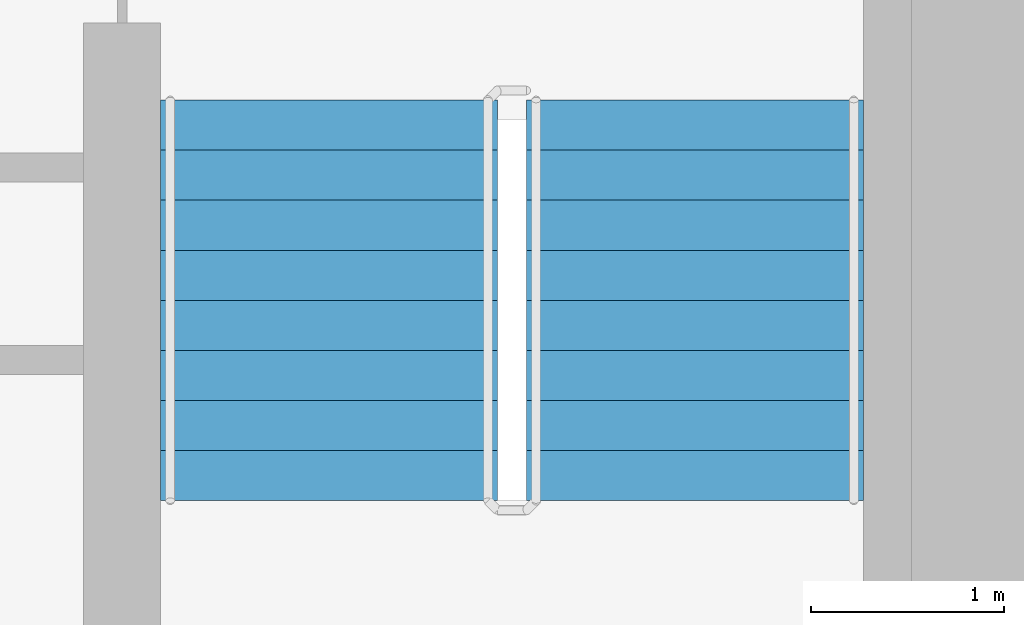
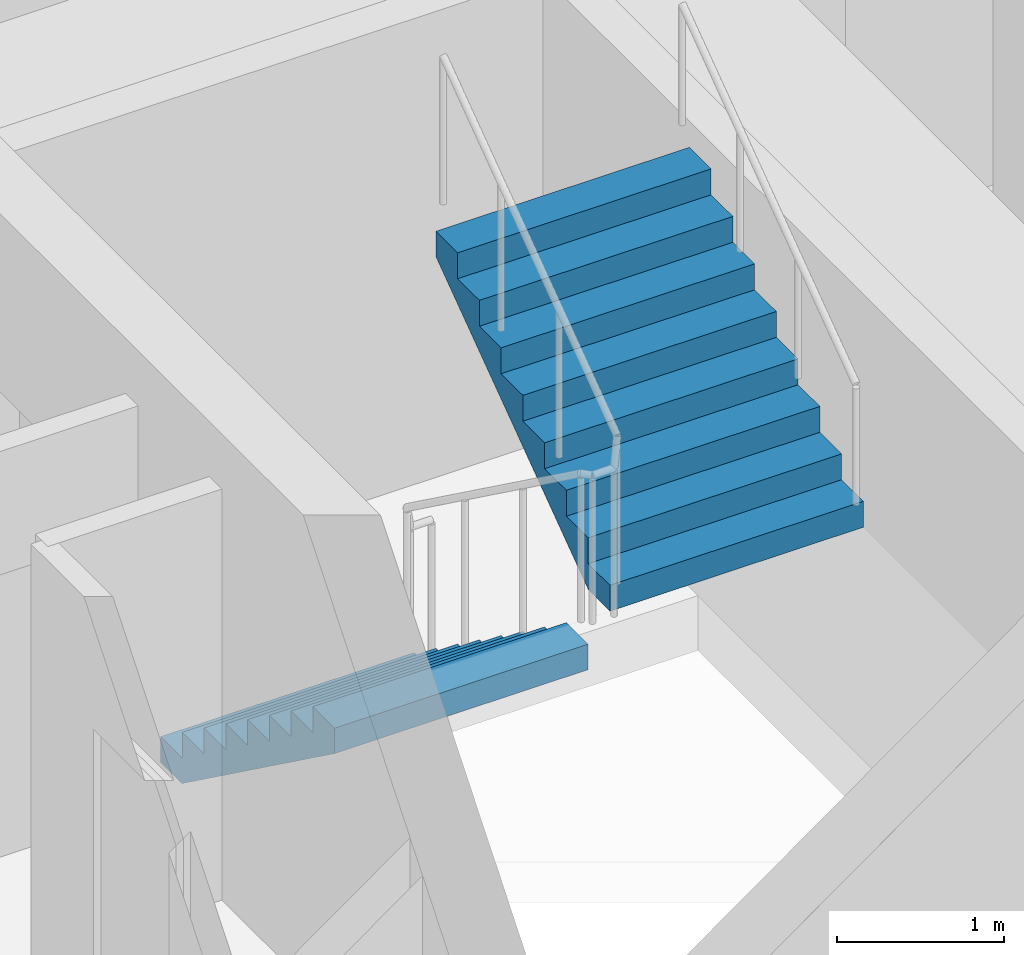
# One storey, part 19 of 22: 2 stair flights, 1 element without a shape of its own.
"""IFC4 building model written with IfcOpenShell, lengths in metres."""

from ifc_helpers import new_model, si_unit, direction, frame, origin, place, context, subcontext, project, spatial, faceted_brep, material, type_object, element, aggregate, save


model = new_model("IFC4")

# Units and contexts
model_context = context("Model", 3, precision=1e-05, world=origin(), true_north=direction((0.0, 1.0)))
body_context = subcontext(model_context, "Body", "Model", "MODEL_VIEW")
ifc_project = project(units=[si_unit("LENGTHUNIT", "METRE"), si_unit("AREAUNIT", "SQUARE_METRE"), si_unit("VOLUMEUNIT", "CUBIC_METRE"), si_unit("PLANEANGLEUNIT", "RADIAN"), si_unit("MASSUNIT", "GRAM", prefix="KILO")], contexts=[model_context])

# Site, building, storey
site_placement = place(None, origin())
site = spatial("IfcSite", under=ifc_project, at=site_placement, CompositionType="ELEMENT")
building_placement = place(site_placement, origin())
building = spatial("IfcBuilding", under=site, at=building_placement, Name="Ipe Terrace Towers", CompositionType="ELEMENT")
storey_placement = place(building_placement, frame((0.0, 0.0, 90.199951171875)))
storey = spatial("IfcBuildingStorey", under=building, at=storey_placement, Name="L24", CompositionType="ELEMENT", Elevation=90.199951171875)

# Stair, stair flights
ifc_material_1 = material(Name="Concrete C30/37", Category="concrete")
stair_type = type_object("IfcStairType", Name="Protected exit stair", PredefinedType="HALF_TURN_STAIR", material=ifc_material_1)
stair_placement = place(storey_placement, origin())
stair = element("IfcStair", 1, at=stair_placement, inside=storey, type_object=stair_type, Name="L24 Exit stair T2-C2", PredefinedType="HALF_TURN_STAIR")
ifc_material_2 = material(Name="Concrete C30/37", Category="concrete")
stair_flight_type = type_object("IfcStairFlightType", Name="Exit stair flight 1750", PredefinedType="STRAIGHT", material=ifc_material_2)
stair_flight_1_placement = place(storey_placement, frame((38.77490234375, -9.699951171875, 0.0), z_axis=(0.0, 0.0, 1.0), x_axis=(0.0, -1.0, 0.0)))
stair_flight_1 = element("IfcStairFlight", 2, at=stair_flight_1_placement, type_object=stair_flight_type, Name="T2-ST2 flight 1", NumberOfRisers=9, NumberOfTreads=8, PredefinedType="STRAIGHT", RiserHeight=0.188888889, TreadLength=0.26, context=body_context, shape_type="Brep", body=[
    faceted_brep([(0.255126953125, -0.875, 0.0), (2.080078125, -0.875, 1.325927734375), (2.080078125, -0.875, 1.51123046875), (1.820068359375, -0.875, 1.51123046875), (1.820068359375, -0.875, 1.322265625), (1.56005859375, -0.875, 1.322265625), (1.56005859375, -0.875, 1.13330078125), (1.300048828125, -0.875, 1.13330078125), (1.300048828125, -0.875, 0.9443359375), (1.0400390625, -0.875, 0.9443359375), (1.0400390625, -0.875, 0.755615234375), (0.780029296875, -0.875, 0.755615234375), (0.780029296875, -0.875, 0.566650390625), (0.52001953125, -0.875, 0.566650390625), (0.52001953125, -0.875, 0.377685546875), (0.260009765625, -0.875, 0.377685546875), (0.260009765625, -0.875, 0.18896484375), (0.0, -0.875, 0.18896484375), (0.0, -0.875, 0.0), (0.0, 0.875, 0.0), (0.0, 0.875, 0.18896484375), (0.260009765625, 0.875, 0.18896484375), (0.260009765625, 0.875, 0.377685546875), (0.52001953125, 0.875, 0.377685546875), (0.52001953125, 0.875, 0.566650390625), (0.780029296875, 0.875, 0.566650390625), (0.780029296875, 0.875, 0.755615234375), (1.0400390625, 0.875, 0.755615234375), (1.0400390625, 0.875, 0.9443359375), (1.300048828125, 0.875, 0.9443359375), (1.300048828125, 0.875, 1.13330078125), (1.56005859375, 0.875, 1.13330078125), (1.56005859375, 0.875, 1.322265625), (1.820068359375, 0.875, 1.322265625), (1.820068359375, 0.875, 1.51123046875), (2.080078125, 0.875, 1.51123046875), (2.080078125, 0.875, 1.325927734375), (0.255126953125, 0.875, 0.0), (0.0, -0.300048828125, 0.18896484375), (0.0, -0.1201171875, 0.18896484375), (0.0, -0.06005859375, 0.18896484375), (0.0, -0.030029296875, 0.18896484375), (0.0, -0.010009765625, 0.18896484375), (0.0, 0.0, 0.18896484375), (0.0, 0.010009765625, 0.18896484375), (0.0, 0.030029296875, 0.18896484375), (0.0, 0.06005859375, 0.18896484375), (0.0, 0.1201171875, 0.18896484375), (0.0, 0.300048828125, 0.18896484375), (0.0, 0.300048828125, 0.0), (0.0, 0.1201171875, 0.0), (0.0, 0.06005859375, 0.0), (0.0, 0.030029296875, 0.0), (0.0, 0.010009765625, 0.0), (0.0, 0.0, 0.0), (0.0, -0.010009765625, 0.0), (0.0, -0.030029296875, 0.0), (0.0, -0.06005859375, 0.0), (0.0, -0.1201171875, 0.0), (0.0, -0.300048828125, 0.0), (0.260009765625, -0.300048828125, 0.18896484375), (0.260009765625, -0.1201171875, 0.18896484375), (0.260009765625, -0.06005859375, 0.18896484375), (0.260009765625, -0.030029296875, 0.18896484375), (0.260009765625, -0.010009765625, 0.18896484375), (0.260009765625, 0.0, 0.18896484375), (0.260009765625, 0.010009765625, 0.18896484375), (0.260009765625, 0.030029296875, 0.18896484375), (0.260009765625, 0.06005859375, 0.18896484375), (0.260009765625, 0.1201171875, 0.18896484375), (0.260009765625, 0.300048828125, 0.18896484375), (0.260009765625, -0.300048828125, 0.377685546875), (0.260009765625, -0.1201171875, 0.377685546875), (0.260009765625, -0.06005859375, 0.377685546875), (0.260009765625, -0.030029296875, 0.377685546875), (0.260009765625, -0.010009765625, 0.377685546875), (0.260009765625, 0.0, 0.377685546875), (0.260009765625, 0.010009765625, 0.377685546875), (0.260009765625, 0.030029296875, 0.377685546875), (0.260009765625, 0.06005859375, 0.377685546875), (0.260009765625, 0.1201171875, 0.377685546875), (0.260009765625, 0.300048828125, 0.377685546875), (0.52001953125, -0.300048828125, 0.377685546875), (0.52001953125, -0.1201171875, 0.377685546875), (0.52001953125, -0.06005859375, 0.377685546875), (0.52001953125, -0.030029296875, 0.377685546875), (0.52001953125, -0.010009765625, 0.377685546875), (0.52001953125, 0.0, 0.377685546875), (0.52001953125, 0.010009765625, 0.377685546875), (0.52001953125, 0.030029296875, 0.377685546875), (0.52001953125, 0.06005859375, 0.377685546875), (0.52001953125, 0.1201171875, 0.377685546875), (0.52001953125, 0.300048828125, 0.377685546875), (0.52001953125, -0.300048828125, 0.566650390625), (0.52001953125, -0.1201171875, 0.566650390625), (0.52001953125, -0.06005859375, 0.566650390625), (0.52001953125, -0.030029296875, 0.566650390625), (0.52001953125, -0.010009765625, 0.566650390625), (0.52001953125, 0.0, 0.566650390625), (0.52001953125, 0.010009765625, 0.566650390625), (0.52001953125, 0.030029296875, 0.566650390625), (0.52001953125, 0.06005859375, 0.566650390625), (0.52001953125, 0.1201171875, 0.566650390625), (0.52001953125, 0.300048828125, 0.566650390625), (0.780029296875, -0.300048828125, 0.566650390625), (0.780029296875, -0.1201171875, 0.566650390625), (0.780029296875, -0.06005859375, 0.566650390625), (0.780029296875, -0.030029296875, 0.566650390625), (0.780029296875, -0.010009765625, 0.566650390625), (0.780029296875, 0.0, 0.566650390625), (0.780029296875, 0.010009765625, 0.566650390625), (0.780029296875, 0.030029296875, 0.566650390625), (0.780029296875, 0.06005859375, 0.566650390625), (0.780029296875, 0.1201171875, 0.566650390625), (0.780029296875, 0.300048828125, 0.566650390625), (0.780029296875, -0.300048828125, 0.755615234375), (0.780029296875, -0.1201171875, 0.755615234375), (0.780029296875, -0.06005859375, 0.755615234375), (0.780029296875, -0.030029296875, 0.755615234375), (0.780029296875, -0.010009765625, 0.755615234375), (0.780029296875, 0.0, 0.755615234375), (0.780029296875, 0.010009765625, 0.755615234375), (0.780029296875, 0.030029296875, 0.755615234375), (0.780029296875, 0.06005859375, 0.755615234375), (0.780029296875, 0.1201171875, 0.755615234375), (0.780029296875, 0.300048828125, 0.755615234375), (1.0400390625, -0.300048828125, 0.755615234375), (1.0400390625, -0.1201171875, 0.755615234375), (1.0400390625, -0.06005859375, 0.755615234375), (1.0400390625, -0.030029296875, 0.755615234375), (1.0400390625, -0.010009765625, 0.755615234375), (1.0400390625, 0.0, 0.755615234375), (1.0400390625, 0.010009765625, 0.755615234375), (1.0400390625, 0.030029296875, 0.755615234375), (1.0400390625, 0.06005859375, 0.755615234375), (1.0400390625, 0.1201171875, 0.755615234375), (1.0400390625, 0.300048828125, 0.755615234375), (1.0400390625, -0.300048828125, 0.9443359375), (1.0400390625, -0.1201171875, 0.9443359375), (1.0400390625, -0.06005859375, 0.9443359375), (1.0400390625, -0.030029296875, 0.9443359375), (1.0400390625, -0.010009765625, 0.9443359375), (1.0400390625, 0.0, 0.9443359375), (1.0400390625, 0.010009765625, 0.9443359375), (1.0400390625, 0.030029296875, 0.9443359375), (1.0400390625, 0.06005859375, 0.9443359375), (1.0400390625, 0.1201171875, 0.9443359375), (1.0400390625, 0.300048828125, 0.9443359375), (1.300048828125, -0.300048828125, 0.9443359375), (1.300048828125, -0.1201171875, 0.9443359375), (1.300048828125, -0.06005859375, 0.9443359375), (1.300048828125, -0.030029296875, 0.9443359375), (1.300048828125, -0.010009765625, 0.9443359375), (1.300048828125, 0.0, 0.9443359375), (1.300048828125, 0.010009765625, 0.9443359375), (1.300048828125, 0.030029296875, 0.9443359375), (1.300048828125, 0.06005859375, 0.9443359375), (1.300048828125, 0.1201171875, 0.9443359375), (1.300048828125, 0.300048828125, 0.9443359375), (1.300048828125, -0.300048828125, 1.13330078125), (1.300048828125, -0.1201171875, 1.13330078125), (1.300048828125, -0.06005859375, 1.13330078125), (1.300048828125, -0.030029296875, 1.13330078125), (1.300048828125, -0.010009765625, 1.13330078125), (1.300048828125, 0.0, 1.13330078125), (1.300048828125, 0.010009765625, 1.13330078125), (1.300048828125, 0.030029296875, 1.13330078125), (1.300048828125, 0.06005859375, 1.13330078125), (1.300048828125, 0.1201171875, 1.13330078125), (1.300048828125, 0.300048828125, 1.13330078125), (1.56005859375, -0.300048828125, 1.13330078125), (1.56005859375, -0.1201171875, 1.13330078125), (1.56005859375, -0.06005859375, 1.13330078125), (1.56005859375, -0.030029296875, 1.13330078125), (1.56005859375, -0.010009765625, 1.13330078125), (1.56005859375, 0.0, 1.13330078125), (1.56005859375, 0.010009765625, 1.13330078125), (1.56005859375, 0.030029296875, 1.13330078125), (1.56005859375, 0.06005859375, 1.13330078125), (1.56005859375, 0.1201171875, 1.13330078125), (1.56005859375, 0.300048828125, 1.13330078125), (1.56005859375, -0.300048828125, 1.322265625), (1.56005859375, -0.1201171875, 1.322265625), (1.56005859375, -0.06005859375, 1.322265625), (1.56005859375, -0.030029296875, 1.322265625), (1.56005859375, -0.010009765625, 1.322265625), (1.56005859375, 0.0, 1.322265625), (1.56005859375, 0.010009765625, 1.322265625), (1.56005859375, 0.030029296875, 1.322265625), (1.56005859375, 0.06005859375, 1.322265625), (1.56005859375, 0.1201171875, 1.322265625), (1.56005859375, 0.300048828125, 1.322265625), (1.820068359375, -0.300048828125, 1.322265625), (1.820068359375, -0.1201171875, 1.322265625), (1.820068359375, -0.06005859375, 1.322265625), (1.820068359375, -0.030029296875, 1.322265625), (1.820068359375, -0.010009765625, 1.322265625), (1.820068359375, 0.0, 1.322265625), (1.820068359375, 0.010009765625, 1.322265625), (1.820068359375, 0.030029296875, 1.322265625), (1.820068359375, 0.06005859375, 1.322265625), (1.820068359375, 0.1201171875, 1.322265625), (1.820068359375, 0.300048828125, 1.322265625), (1.820068359375, -0.300048828125, 1.51123046875), (1.820068359375, -0.1201171875, 1.51123046875), (1.820068359375, -0.06005859375, 1.51123046875), (1.820068359375, -0.030029296875, 1.51123046875), (1.820068359375, -0.010009765625, 1.51123046875), (1.820068359375, 0.0, 1.51123046875), (1.820068359375, 0.010009765625, 1.51123046875), (1.820068359375, 0.030029296875, 1.51123046875), (1.820068359375, 0.06005859375, 1.51123046875), (1.820068359375, 0.1201171875, 1.51123046875), (1.820068359375, 0.300048828125, 1.51123046875), (2.080078125, -0.300048828125, 1.51123046875), (2.080078125, -0.1201171875, 1.51123046875), (2.080078125, -0.06005859375, 1.51123046875), (2.080078125, -0.030029296875, 1.51123046875), (2.080078125, -0.010009765625, 1.51123046875), (2.080078125, 0.0, 1.51123046875), (2.080078125, 0.010009765625, 1.51123046875), (2.080078125, 0.030029296875, 1.51123046875), (2.080078125, 0.06005859375, 1.51123046875), (2.080078125, 0.1201171875, 1.51123046875), (2.080078125, 0.300048828125, 1.51123046875), (2.080078125, -0.300048828125, 1.325927734375), (2.080078125, -0.1201171875, 1.325927734375), (2.080078125, -0.06005859375, 1.325927734375), (2.080078125, -0.030029296875, 1.325927734375), (2.080078125, -0.010009765625, 1.325927734375), (2.080078125, 0.0, 1.325927734375), (2.080078125, 0.010009765625, 1.325927734375), (2.080078125, 0.030029296875, 1.325927734375), (2.080078125, 0.06005859375, 1.325927734375), (2.080078125, 0.1201171875, 1.325927734375), (2.080078125, 0.300048828125, 1.325927734375), (0.255126953125, -0.300048828125, 0.0), (0.255126953125, -0.1201171875, 0.0), (0.255126953125, -0.06005859375, 0.0), (0.255126953125, -0.030029296875, 0.0), (0.255126953125, -0.010009765625, 0.0), (0.255126953125, 0.0, 0.0), (0.255126953125, 0.010009765625, 0.0), (0.255126953125, 0.030029296875, 0.0), (0.255126953125, 0.06005859375, 0.0), (0.255126953125, 0.1201171875, 0.0), (0.255126953125, 0.300048828125, 0.0)], [[[0, 1, 2, 3, 4, 5, 6, 7, 8, 9, 10, 11, 12, 13, 14, 15, 16, 17, 18]], [[19, 20, 21, 22, 23, 24, 25, 26, 27, 28, 29, 30, 31, 32, 33, 34, 35, 36, 37]], [[17, 38, 39, 40, 41, 42, 43, 44, 45, 46, 47, 48, 20, 19, 49, 50, 51, 52, 53, 54, 55, 56, 57, 58, 59, 18]], [[16, 60, 61, 62, 63, 64, 65, 66, 67, 68, 69, 70, 21, 20, 48, 47, 46, 45, 44, 43, 42, 41, 40, 39, 38, 17]], [[15, 71, 72, 73, 74, 75, 76, 77, 78, 79, 80, 81, 22, 21, 70, 69, 68, 67, 66, 65, 64, 63, 62, 61, 60, 16]], [[14, 82, 83, 84, 85, 86, 87, 88, 89, 90, 91, 92, 23, 22, 81, 80, 79, 78, 77, 76, 75, 74, 73, 72, 71, 15]], [[13, 93, 94, 95, 96, 97, 98, 99, 100, 101, 102, 103, 24, 23, 92, 91, 90, 89, 88, 87, 86, 85, 84, 83, 82, 14]], [[12, 104, 105, 106, 107, 108, 109, 110, 111, 112, 113, 114, 25, 24, 103, 102, 101, 100, 99, 98, 97, 96, 95, 94, 93, 13]], [[11, 115, 116, 117, 118, 119, 120, 121, 122, 123, 124, 125, 26, 25, 114, 113, 112, 111, 110, 109, 108, 107, 106, 105, 104, 12]], [[10, 126, 127, 128, 129, 130, 131, 132, 133, 134, 135, 136, 27, 26, 125, 124, 123, 122, 121, 120, 119, 118, 117, 116, 115, 11]], [[9, 137, 138, 139, 140, 141, 142, 143, 144, 145, 146, 147, 28, 27, 136, 135, 134, 133, 132, 131, 130, 129, 128, 127, 126, 10]], [[8, 148, 149, 150, 151, 152, 153, 154, 155, 156, 157, 158, 29, 28, 147, 146, 145, 144, 143, 142, 141, 140, 139, 138, 137, 9]], [[7, 159, 160, 161, 162, 163, 164, 165, 166, 167, 168, 169, 30, 29, 158, 157, 156, 155, 154, 153, 152, 151, 150, 149, 148, 8]], [[6, 170, 171, 172, 173, 174, 175, 176, 177, 178, 179, 180, 31, 30, 169, 168, 167, 166, 165, 164, 163, 162, 161, 160, 159, 7]], [[5, 181, 182, 183, 184, 185, 186, 187, 188, 189, 190, 191, 32, 31, 180, 179, 178, 177, 176, 175, 174, 173, 172, 171, 170, 6]], [[4, 192, 193, 194, 195, 196, 197, 198, 199, 200, 201, 202, 33, 32, 191, 190, 189, 188, 187, 186, 185, 184, 183, 182, 181, 5]], [[3, 203, 204, 205, 206, 207, 208, 209, 210, 211, 212, 213, 34, 33, 202, 201, 200, 199, 198, 197, 196, 195, 194, 193, 192, 4]], [[2, 214, 215, 216, 217, 218, 219, 220, 221, 222, 223, 224, 35, 34, 213, 212, 211, 210, 209, 208, 207, 206, 205, 204, 203, 3]], [[1, 225, 226, 227, 228, 229, 230, 231, 232, 233, 234, 235, 36, 35, 224, 223, 222, 221, 220, 219, 218, 217, 216, 215, 214, 2]], [[0, 236, 237, 238, 239, 240, 241, 242, 243, 244, 245, 246, 37, 36, 235, 234, 233, 232, 231, 230, 229, 228, 227, 226, 225, 1]], [[18, 59, 58, 57, 56, 55, 54, 53, 52, 51, 50, 49, 19, 37, 246, 245, 244, 243, 242, 241, 240, 239, 238, 237, 236, 0]]]),
])
stair_flight_2_placement = place(storey_placement, frame((40.675048828125, -11.780029296875, 1.699951171875), z_axis=(0.0, 0.0, 1.0), x_axis=(0.0, 1.0, 0.0)))
stair_flight_2 = element("IfcStairFlight", 3, at=stair_flight_2_placement, type_object=stair_flight_type, Name="T2-ST2 flight 2", NumberOfRisers=9, NumberOfTreads=8, PredefinedType="STRAIGHT", RiserHeight=0.188888889, TreadLength=0.26, context=body_context, shape_type="Brep", body=[
    faceted_brep([(0.255126953125, -0.875, 0.0), (2.080078125, -0.875, 1.325927734375), (2.080078125, -0.875, 1.51123046875), (1.820068359375, -0.875, 1.51123046875), (1.820068359375, -0.875, 1.322265625), (1.56005859375, -0.875, 1.322265625), (1.56005859375, -0.875, 1.13330078125), (1.300048828125, -0.875, 1.13330078125), (1.300048828125, -0.875, 0.9443359375), (1.0400390625, -0.875, 0.9443359375), (1.0400390625, -0.875, 0.755615234375), (0.780029296875, -0.875, 0.755615234375), (0.780029296875, -0.875, 0.566650390625), (0.52001953125, -0.875, 0.566650390625), (0.52001953125, -0.875, 0.377685546875), (0.260009765625, -0.875, 0.377685546875), (0.260009765625, -0.875, 0.18896484375), (0.0, -0.875, 0.18896484375), (0.0, -0.875, 0.0), (0.0, 0.875, 0.0), (0.0, 0.875, 0.18896484375), (0.260009765625, 0.875, 0.18896484375), (0.260009765625, 0.875, 0.377685546875), (0.52001953125, 0.875, 0.377685546875), (0.52001953125, 0.875, 0.566650390625), (0.780029296875, 0.875, 0.566650390625), (0.780029296875, 0.875, 0.755615234375), (1.0400390625, 0.875, 0.755615234375), (1.0400390625, 0.875, 0.9443359375), (1.300048828125, 0.875, 0.9443359375), (1.300048828125, 0.875, 1.13330078125), (1.56005859375, 0.875, 1.13330078125), (1.56005859375, 0.875, 1.322265625), (1.820068359375, 0.875, 1.322265625), (1.820068359375, 0.875, 1.51123046875), (2.080078125, 0.875, 1.51123046875), (2.080078125, 0.875, 1.325927734375), (0.255126953125, 0.875, 0.0), (0.0, -0.300048828125, 0.18896484375), (0.0, -0.1201171875, 0.18896484375), (0.0, -0.06005859375, 0.18896484375), (0.0, -0.030029296875, 0.18896484375), (0.0, -0.010009765625, 0.18896484375), (0.0, 0.0, 0.18896484375), (0.0, 0.010009765625, 0.18896484375), (0.0, 0.030029296875, 0.18896484375), (0.0, 0.06005859375, 0.18896484375), (0.0, 0.1201171875, 0.18896484375), (0.0, 0.300048828125, 0.18896484375), (0.0, 0.300048828125, 0.0), (0.0, 0.1201171875, 0.0), (0.0, 0.06005859375, 0.0), (0.0, 0.030029296875, 0.0), (0.0, 0.010009765625, 0.0), (0.0, 0.0, 0.0), (0.0, -0.010009765625, 0.0), (0.0, -0.030029296875, 0.0), (0.0, -0.06005859375, 0.0), (0.0, -0.1201171875, 0.0), (0.0, -0.300048828125, 0.0), (0.260009765625, -0.300048828125, 0.18896484375), (0.260009765625, -0.1201171875, 0.18896484375), (0.260009765625, -0.06005859375, 0.18896484375), (0.260009765625, -0.030029296875, 0.18896484375), (0.260009765625, -0.010009765625, 0.18896484375), (0.260009765625, 0.0, 0.18896484375), (0.260009765625, 0.010009765625, 0.18896484375), (0.260009765625, 0.030029296875, 0.18896484375), (0.260009765625, 0.06005859375, 0.18896484375), (0.260009765625, 0.1201171875, 0.18896484375), (0.260009765625, 0.300048828125, 0.18896484375), (0.260009765625, -0.300048828125, 0.377685546875), (0.260009765625, -0.1201171875, 0.377685546875), (0.260009765625, -0.06005859375, 0.377685546875), (0.260009765625, -0.030029296875, 0.377685546875), (0.260009765625, -0.010009765625, 0.377685546875), (0.260009765625, 0.0, 0.377685546875), (0.260009765625, 0.010009765625, 0.377685546875), (0.260009765625, 0.030029296875, 0.377685546875), (0.260009765625, 0.06005859375, 0.377685546875), (0.260009765625, 0.1201171875, 0.377685546875), (0.260009765625, 0.300048828125, 0.377685546875), (0.52001953125, -0.300048828125, 0.377685546875), (0.52001953125, -0.1201171875, 0.377685546875), (0.52001953125, -0.06005859375, 0.377685546875), (0.52001953125, -0.030029296875, 0.377685546875), (0.52001953125, -0.010009765625, 0.377685546875), (0.52001953125, 0.0, 0.377685546875), (0.52001953125, 0.010009765625, 0.377685546875), (0.52001953125, 0.030029296875, 0.377685546875), (0.52001953125, 0.06005859375, 0.377685546875), (0.52001953125, 0.1201171875, 0.377685546875), (0.52001953125, 0.300048828125, 0.377685546875), (0.52001953125, -0.300048828125, 0.566650390625), (0.52001953125, -0.1201171875, 0.566650390625), (0.52001953125, -0.06005859375, 0.566650390625), (0.52001953125, -0.030029296875, 0.566650390625), (0.52001953125, -0.010009765625, 0.566650390625), (0.52001953125, 0.0, 0.566650390625), (0.52001953125, 0.010009765625, 0.566650390625), (0.52001953125, 0.030029296875, 0.566650390625), (0.52001953125, 0.06005859375, 0.566650390625), (0.52001953125, 0.1201171875, 0.566650390625), (0.52001953125, 0.300048828125, 0.566650390625), (0.780029296875, -0.300048828125, 0.566650390625), (0.780029296875, -0.1201171875, 0.566650390625), (0.780029296875, -0.06005859375, 0.566650390625), (0.780029296875, -0.030029296875, 0.566650390625), (0.780029296875, -0.010009765625, 0.566650390625), (0.780029296875, 0.0, 0.566650390625), (0.780029296875, 0.010009765625, 0.566650390625), (0.780029296875, 0.030029296875, 0.566650390625), (0.780029296875, 0.06005859375, 0.566650390625), (0.780029296875, 0.1201171875, 0.566650390625), (0.780029296875, 0.300048828125, 0.566650390625), (0.780029296875, -0.300048828125, 0.755615234375), (0.780029296875, -0.1201171875, 0.755615234375), (0.780029296875, -0.06005859375, 0.755615234375), (0.780029296875, -0.030029296875, 0.755615234375), (0.780029296875, -0.010009765625, 0.755615234375), (0.780029296875, 0.0, 0.755615234375), (0.780029296875, 0.010009765625, 0.755615234375), (0.780029296875, 0.030029296875, 0.755615234375), (0.780029296875, 0.06005859375, 0.755615234375), (0.780029296875, 0.1201171875, 0.755615234375), (0.780029296875, 0.300048828125, 0.755615234375), (1.0400390625, -0.300048828125, 0.755615234375), (1.0400390625, -0.1201171875, 0.755615234375), (1.0400390625, -0.06005859375, 0.755615234375), (1.0400390625, -0.030029296875, 0.755615234375), (1.0400390625, -0.010009765625, 0.755615234375), (1.0400390625, 0.0, 0.755615234375), (1.0400390625, 0.010009765625, 0.755615234375), (1.0400390625, 0.030029296875, 0.755615234375), (1.0400390625, 0.06005859375, 0.755615234375), (1.0400390625, 0.1201171875, 0.755615234375), (1.0400390625, 0.300048828125, 0.755615234375), (1.0400390625, -0.300048828125, 0.9443359375), (1.0400390625, -0.1201171875, 0.9443359375), (1.0400390625, -0.06005859375, 0.9443359375), (1.0400390625, -0.030029296875, 0.9443359375), (1.0400390625, -0.010009765625, 0.9443359375), (1.0400390625, 0.0, 0.9443359375), (1.0400390625, 0.010009765625, 0.9443359375), (1.0400390625, 0.030029296875, 0.9443359375), (1.0400390625, 0.06005859375, 0.9443359375), (1.0400390625, 0.1201171875, 0.9443359375), (1.0400390625, 0.300048828125, 0.9443359375), (1.300048828125, -0.300048828125, 0.9443359375), (1.300048828125, -0.1201171875, 0.9443359375), (1.300048828125, -0.06005859375, 0.9443359375), (1.300048828125, -0.030029296875, 0.9443359375), (1.300048828125, -0.010009765625, 0.9443359375), (1.300048828125, 0.0, 0.9443359375), (1.300048828125, 0.010009765625, 0.9443359375), (1.300048828125, 0.030029296875, 0.9443359375), (1.300048828125, 0.06005859375, 0.9443359375), (1.300048828125, 0.1201171875, 0.9443359375), (1.300048828125, 0.300048828125, 0.9443359375), (1.300048828125, -0.300048828125, 1.13330078125), (1.300048828125, -0.1201171875, 1.13330078125), (1.300048828125, -0.06005859375, 1.13330078125), (1.300048828125, -0.030029296875, 1.13330078125), (1.300048828125, -0.010009765625, 1.13330078125), (1.300048828125, 0.0, 1.13330078125), (1.300048828125, 0.010009765625, 1.13330078125), (1.300048828125, 0.030029296875, 1.13330078125), (1.300048828125, 0.06005859375, 1.13330078125), (1.300048828125, 0.1201171875, 1.13330078125), (1.300048828125, 0.300048828125, 1.13330078125), (1.56005859375, -0.300048828125, 1.13330078125), (1.56005859375, -0.1201171875, 1.13330078125), (1.56005859375, -0.06005859375, 1.13330078125), (1.56005859375, -0.030029296875, 1.13330078125), (1.56005859375, -0.010009765625, 1.13330078125), (1.56005859375, 0.0, 1.13330078125), (1.56005859375, 0.010009765625, 1.13330078125), (1.56005859375, 0.030029296875, 1.13330078125), (1.56005859375, 0.06005859375, 1.13330078125), (1.56005859375, 0.1201171875, 1.13330078125), (1.56005859375, 0.300048828125, 1.13330078125), (1.56005859375, -0.300048828125, 1.322265625), (1.56005859375, -0.1201171875, 1.322265625), (1.56005859375, -0.06005859375, 1.322265625), (1.56005859375, -0.030029296875, 1.322265625), (1.56005859375, -0.010009765625, 1.322265625), (1.56005859375, 0.0, 1.322265625), (1.56005859375, 0.010009765625, 1.322265625), (1.56005859375, 0.030029296875, 1.322265625), (1.56005859375, 0.06005859375, 1.322265625), (1.56005859375, 0.1201171875, 1.322265625), (1.56005859375, 0.300048828125, 1.322265625), (1.820068359375, -0.300048828125, 1.322265625), (1.820068359375, -0.1201171875, 1.322265625), (1.820068359375, -0.06005859375, 1.322265625), (1.820068359375, -0.030029296875, 1.322265625), (1.820068359375, -0.010009765625, 1.322265625), (1.820068359375, 0.0, 1.322265625), (1.820068359375, 0.010009765625, 1.322265625), (1.820068359375, 0.030029296875, 1.322265625), (1.820068359375, 0.06005859375, 1.322265625), (1.820068359375, 0.1201171875, 1.322265625), (1.820068359375, 0.300048828125, 1.322265625), (1.820068359375, -0.300048828125, 1.51123046875), (1.820068359375, -0.1201171875, 1.51123046875), (1.820068359375, -0.06005859375, 1.51123046875), (1.820068359375, -0.030029296875, 1.51123046875), (1.820068359375, -0.010009765625, 1.51123046875), (1.820068359375, 0.0, 1.51123046875), (1.820068359375, 0.010009765625, 1.51123046875), (1.820068359375, 0.030029296875, 1.51123046875), (1.820068359375, 0.06005859375, 1.51123046875), (1.820068359375, 0.1201171875, 1.51123046875), (1.820068359375, 0.300048828125, 1.51123046875), (2.080078125, -0.300048828125, 1.51123046875), (2.080078125, -0.1201171875, 1.51123046875), (2.080078125, -0.06005859375, 1.51123046875), (2.080078125, -0.030029296875, 1.51123046875), (2.080078125, -0.010009765625, 1.51123046875), (2.080078125, 0.0, 1.51123046875), (2.080078125, 0.010009765625, 1.51123046875), (2.080078125, 0.030029296875, 1.51123046875), (2.080078125, 0.06005859375, 1.51123046875), (2.080078125, 0.1201171875, 1.51123046875), (2.080078125, 0.300048828125, 1.51123046875), (2.080078125, -0.300048828125, 1.325927734375), (2.080078125, -0.1201171875, 1.325927734375), (2.080078125, -0.06005859375, 1.325927734375), (2.080078125, -0.030029296875, 1.325927734375), (2.080078125, -0.010009765625, 1.325927734375), (2.080078125, 0.0, 1.325927734375), (2.080078125, 0.010009765625, 1.325927734375), (2.080078125, 0.030029296875, 1.325927734375), (2.080078125, 0.06005859375, 1.325927734375), (2.080078125, 0.1201171875, 1.325927734375), (2.080078125, 0.300048828125, 1.325927734375), (0.255126953125, -0.300048828125, 0.0), (0.255126953125, -0.1201171875, 0.0), (0.255126953125, -0.06005859375, 0.0), (0.255126953125, -0.030029296875, 0.0), (0.255126953125, -0.010009765625, 0.0), (0.255126953125, 0.0, 0.0), (0.255126953125, 0.010009765625, 0.0), (0.255126953125, 0.030029296875, 0.0), (0.255126953125, 0.06005859375, 0.0), (0.255126953125, 0.1201171875, 0.0), (0.255126953125, 0.300048828125, 0.0)], [[[0, 1, 2, 3, 4, 5, 6, 7, 8, 9, 10, 11, 12, 13, 14, 15, 16, 17, 18]], [[19, 20, 21, 22, 23, 24, 25, 26, 27, 28, 29, 30, 31, 32, 33, 34, 35, 36, 37]], [[17, 38, 39, 40, 41, 42, 43, 44, 45, 46, 47, 48, 20, 19, 49, 50, 51, 52, 53, 54, 55, 56, 57, 58, 59, 18]], [[16, 60, 61, 62, 63, 64, 65, 66, 67, 68, 69, 70, 21, 20, 48, 47, 46, 45, 44, 43, 42, 41, 40, 39, 38, 17]], [[15, 71, 72, 73, 74, 75, 76, 77, 78, 79, 80, 81, 22, 21, 70, 69, 68, 67, 66, 65, 64, 63, 62, 61, 60, 16]], [[14, 82, 83, 84, 85, 86, 87, 88, 89, 90, 91, 92, 23, 22, 81, 80, 79, 78, 77, 76, 75, 74, 73, 72, 71, 15]], [[13, 93, 94, 95, 96, 97, 98, 99, 100, 101, 102, 103, 24, 23, 92, 91, 90, 89, 88, 87, 86, 85, 84, 83, 82, 14]], [[12, 104, 105, 106, 107, 108, 109, 110, 111, 112, 113, 114, 25, 24, 103, 102, 101, 100, 99, 98, 97, 96, 95, 94, 93, 13]], [[11, 115, 116, 117, 118, 119, 120, 121, 122, 123, 124, 125, 26, 25, 114, 113, 112, 111, 110, 109, 108, 107, 106, 105, 104, 12]], [[10, 126, 127, 128, 129, 130, 131, 132, 133, 134, 135, 136, 27, 26, 125, 124, 123, 122, 121, 120, 119, 118, 117, 116, 115, 11]], [[9, 137, 138, 139, 140, 141, 142, 143, 144, 145, 146, 147, 28, 27, 136, 135, 134, 133, 132, 131, 130, 129, 128, 127, 126, 10]], [[8, 148, 149, 150, 151, 152, 153, 154, 155, 156, 157, 158, 29, 28, 147, 146, 145, 144, 143, 142, 141, 140, 139, 138, 137, 9]], [[7, 159, 160, 161, 162, 163, 164, 165, 166, 167, 168, 169, 30, 29, 158, 157, 156, 155, 154, 153, 152, 151, 150, 149, 148, 8]], [[6, 170, 171, 172, 173, 174, 175, 176, 177, 178, 179, 180, 31, 30, 169, 168, 167, 166, 165, 164, 163, 162, 161, 160, 159, 7]], [[5, 181, 182, 183, 184, 185, 186, 187, 188, 189, 190, 191, 32, 31, 180, 179, 178, 177, 176, 175, 174, 173, 172, 171, 170, 6]], [[4, 192, 193, 194, 195, 196, 197, 198, 199, 200, 201, 202, 33, 32, 191, 190, 189, 188, 187, 186, 185, 184, 183, 182, 181, 5]], [[3, 203, 204, 205, 206, 207, 208, 209, 210, 211, 212, 213, 34, 33, 202, 201, 200, 199, 198, 197, 196, 195, 194, 193, 192, 4]], [[2, 214, 215, 216, 217, 218, 219, 220, 221, 222, 223, 224, 35, 34, 213, 212, 211, 210, 209, 208, 207, 206, 205, 204, 203, 3]], [[1, 225, 226, 227, 228, 229, 230, 231, 232, 233, 234, 235, 36, 35, 224, 223, 222, 221, 220, 219, 218, 217, 216, 215, 214, 2]], [[0, 236, 237, 238, 239, 240, 241, 242, 243, 244, 245, 246, 37, 36, 235, 234, 233, 232, 231, 230, 229, 228, 227, 226, 225, 1]], [[18, 59, 58, 57, 56, 55, 54, 53, 52, 51, 50, 49, 19, 37, 246, 245, 244, 243, 242, 241, 240, 239, 238, 237, 236, 0]]]),
])
aggregate(stair, [stair_flight_1, stair_flight_2])

save(model, "model.ifc")
